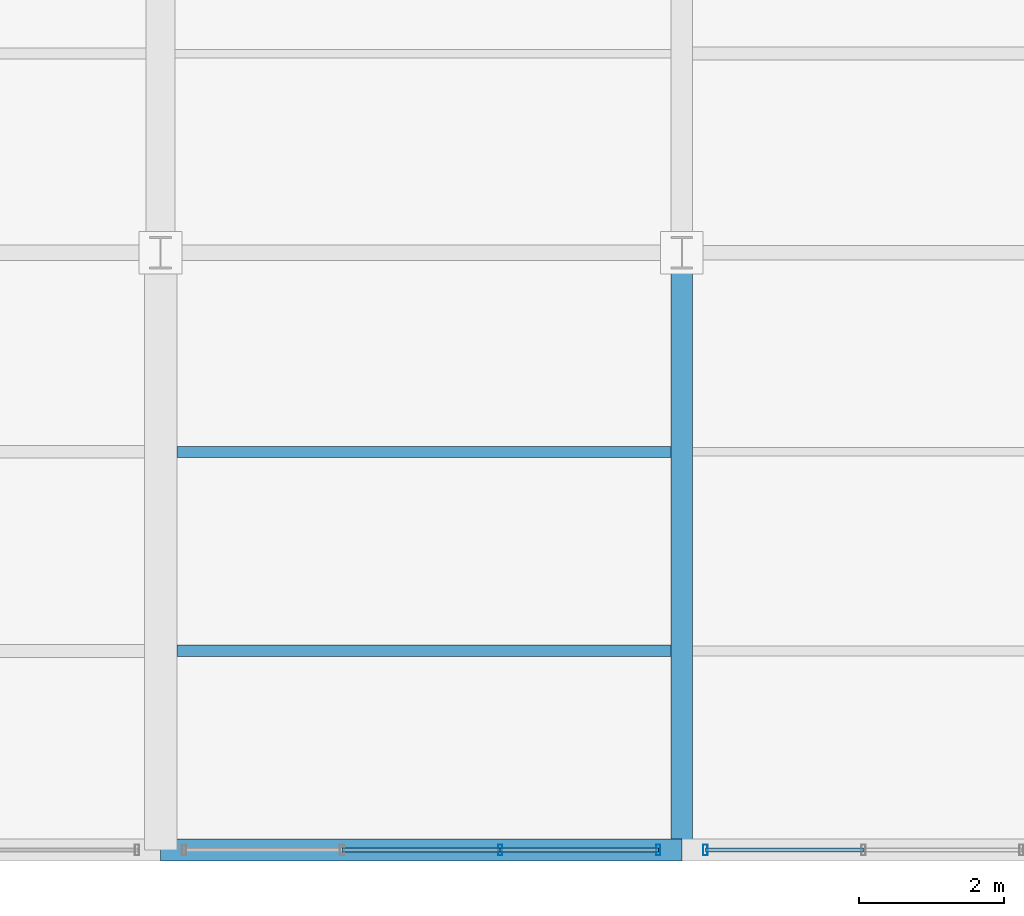
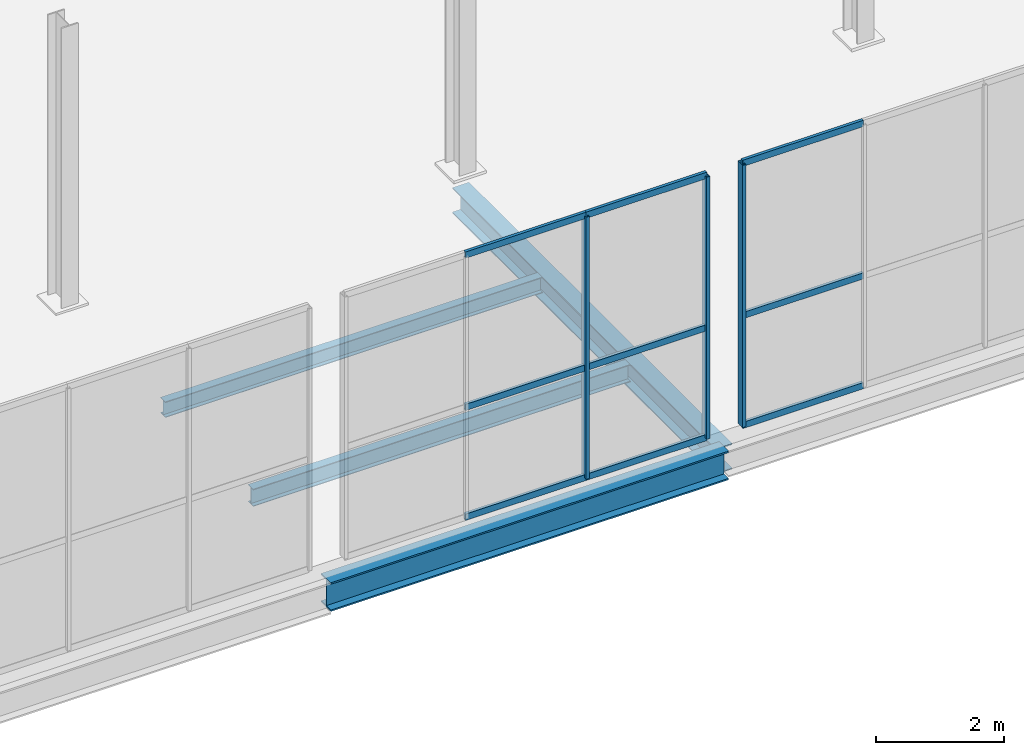
# One storey, part 28 of 147: 12 members, 4 beams, 2 elements without a shape of their own.
"""IFC4 building model written with IfcOpenShell, lengths in metres."""

from ifc_helpers import new_model, si_unit, direction, frame, origin, origin_2d, place, context, subcontext, project, spatial, hollow_rectangle, i_section, extrude, material, layer, layer_set, material_profile, profile_set, type_object, element, aggregate, save


model = new_model("IFC4")

# Units and contexts
model_context = context("Model", 3, precision=1e-05, world=origin(), true_north=direction((0.0, 1.0)))
body_context = subcontext(model_context, "Body", "Model", "MODEL_VIEW")
ifc_project = project(units=[si_unit("LENGTHUNIT", "METRE"), si_unit("AREAUNIT", "SQUARE_METRE"), si_unit("VOLUMEUNIT", "CUBIC_METRE"), si_unit("PLANEANGLEUNIT", "RADIAN"), si_unit("MASSUNIT", "GRAM", prefix="KILO")], contexts=[model_context])

# Site, building, storey
site_placement = place(None, origin())
site = spatial("IfcSite", under=ifc_project, at=site_placement, CompositionType="ELEMENT")
building_placement = place(site_placement, origin())
building = spatial("IfcBuilding", under=site, at=building_placement, Name="Sundgate Opera House", CompositionType="ELEMENT")
storey_placement = place(building_placement, frame((0.0, 0.0, 6.0)))
storey = spatial("IfcBuildingStorey", under=building, at=storey_placement, Name="L01", CompositionType="ELEMENT", Elevation=6.0)

# Beams
ifc_material_1 = material(Name="Steel S355J2", Category="steel")
ifc_material_profile_1 = material_profile(ifc_material_1, i_section(OverallWidth=0.300048828125, OverallDepth=0.489990234375, WebThickness=0.011962890625, FlangeThickness=0.02294921875, at=origin_2d()), Name="HEA 500")
ifc_profile_set_1 = profile_set([ifc_material_profile_1], Name="Steel S355J2")
beam_type_1 = type_object("IfcBeamType", Name="BM-GR-HEA500", PredefinedType="BEAM", material=ifc_profile_set_1)
beam_1_placement = place(storey_placement, frame((109.800048828125, 0.0, -0.544921875), z_axis=(0.0, 1.0, 0.0), x_axis=(-1.0, 0.0, 0.0)))
element("IfcBeam", 1, at=beam_1_placement, inside=storey, type_object=beam_type_1, Name="L01 Primary N-S Girder B1169", PredefinedType="BEAM", context=body_context, shape_type="SweptSolid", body=[
    extrude(i_section(OverallWidth=0.300048828125, OverallDepth=0.489990234375, WebThickness=0.011962890625, FlangeThickness=0.02294921875, at=origin_2d()), origin(), (0.0, 0.0, 1.0), 8.25),
])
ifc_material_2 = material(Name="Steel S355J2", Category="steel")
ifc_material_profile_2 = material_profile(ifc_material_2, i_section(OverallWidth=0.300048828125, OverallDepth=0.550048828125, WebThickness=0.014892578125, FlangeThickness=0.029052734375, at=origin_2d()), Name="HEB 550")
ifc_profile_set_2 = profile_set([ifc_material_profile_2], Name="Steel S355J2")
beam_type_2 = type_object("IfcBeamType", Name="BM-GR-HEB550", PredefinedType="BEAM", material=ifc_profile_set_2)
beam_2_placement = place(storey_placement, frame((102.60009765625, 0.0, -0.574951171875), z_axis=(1.0, 0.0, 0.0), x_axis=(0.0, 1.0, 0.0)))
element("IfcBeam", 2, at=beam_2_placement, inside=storey, type_object=beam_type_2, Name="L01 Primary E-W Girder B1273", PredefinedType="BEAM", context=body_context, shape_type="SweptSolid", body=[
    extrude(i_section(OverallWidth=0.300048828125, OverallDepth=0.550048828125, WebThickness=0.014892578125, FlangeThickness=0.029052734375, at=origin_2d()), origin(), (0.0, 0.0, 1.0), 7.199951171875),
])
ifc_material_3 = material(Name="Steel S355J2", Category="steel")
ifc_material_profile_3 = material_profile(ifc_material_3, i_section(OverallWidth=0.14990234375, OverallDepth=0.300048828125, WebThickness=0.007080078125, FlangeThickness=0.0107421875, at=origin_2d()), Name="IPE 300")
ifc_profile_set_3 = profile_set([ifc_material_profile_3], Name="Steel S355J2")
beam_type_3 = type_object("IfcBeamType", Name="BM-JS-IPE300", PredefinedType="JOIST", material=ifc_profile_set_3)
beam_3_placement = place(storey_placement, frame((102.824951171875, 5.5, -0.449951171875), z_axis=(1.0, 0.0, 0.0), x_axis=(0.0, 1.0, 0.0)))
element("IfcBeam", 3, at=beam_3_placement, inside=storey, type_object=beam_type_3, Name="L01 Secondary Floor Joist B1481", PredefinedType="JOIST", context=body_context, shape_type="SweptSolid", body=[
    extrude(i_section(OverallWidth=0.14990234375, OverallDepth=0.300048828125, WebThickness=0.007080078125, FlangeThickness=0.0107421875, at=origin_2d()), origin(), (0.0, 0.0, 1.0), 6.824951171875),
])
ifc_material_4 = material(Name="Steel S355J2", Category="steel")
ifc_material_profile_4 = material_profile(ifc_material_4, i_section(OverallWidth=0.159912109375, OverallDepth=0.330078125, WebThickness=0.007568359375, FlangeThickness=0.011474609375, at=origin_2d()), Name="IPE 330")
ifc_profile_set_4 = profile_set([ifc_material_profile_4], Name="Steel S355J2")
beam_type_4 = type_object("IfcBeamType", Name="BM-JS-IPE330", PredefinedType="JOIST", material=ifc_profile_set_4)
beam_4_placement = place(storey_placement, frame((102.824951171875, 2.75, -0.465087890625), z_axis=(1.0, 0.0, 0.0), x_axis=(0.0, 1.0, 0.0)))
element("IfcBeam", 4, at=beam_4_placement, inside=storey, type_object=beam_type_4, Name="L01 Secondary Floor Joist B1480", PredefinedType="JOIST", context=body_context, shape_type="SweptSolid", body=[
    extrude(i_section(OverallWidth=0.159912109375, OverallDepth=0.330078125, WebThickness=0.007568359375, FlangeThickness=0.011474609375, at=origin_2d()), origin(), (0.0, 0.0, 1.0), 6.824951171875),
])

# Curtain wall, members
ifc_material_5 = material(Name="Anodized aluminium and low-iron glass", Category="aluminium")
ifc_layer = layer(ifc_material_5, 0.14990234375)
ifc_layer_set = layer_set([ifc_layer], Name="Anodized aluminium and low-iron glass")
curtain_wall_type = type_object("IfcCurtainWallType", Name="CW-WORKSHOP-DARK", PredefinedType="NOTDEFINED", material=ifc_layer_set)
curtain_wall_1_placement = place(storey_placement, origin())
curtain_wall_1 = element("IfcCurtainWall", 5, at=curtain_wall_1_placement, inside=storey, type_object=curtain_wall_type, Name="L01 Curtain Wall CW136", PredefinedType="NOTDEFINED")
ifc_material_6 = material(Name="Anodized aluminium EN AW-6063", Category="aluminium")
ifc_material_profile_5 = material_profile(ifc_material_6, hollow_rectangle(XDim=0.06005859375, YDim=0.14990234375, WallThickness=0.00390625, at=origin_2d()), Name="CWM 150x60x4")
ifc_profile_set_5 = profile_set([ifc_material_profile_5], Name="Anodized aluminium EN AW-6063")
member_type_1 = type_object("IfcMemberType", Name="CWM-ALU-150x60", PredefinedType="MULLION", material=ifc_profile_set_5)
member_1_placement = place(storey_placement, frame((109.47509765625, 0.0, 0.0), z_axis=(0.0, 0.0, 1.0), x_axis=(1.0, 0.0, 0.0)))
member_1 = element("IfcMember", 6, at=member_1_placement, type_object=member_type_1, Name="CW136 Mullion 1", PredefinedType="MULLION", context=body_context, shape_type="SweptSolid", body=[
    extrude(hollow_rectangle(XDim=0.06005859375, YDim=0.14990234375, WallThickness=0.00390625, at=origin_2d()), origin(), (0.0, 0.0, 1.0), 5.014892578125),
])
member_2_placement = place(storey_placement, frame((107.291748046875, 0.0, 0.0), z_axis=(0.0, 0.0, 1.0), x_axis=(1.0, 0.0, 0.0)))
member_2 = element("IfcMember", 7, at=member_2_placement, type_object=member_type_1, Name="CW136 Mullion 2", PredefinedType="MULLION", context=body_context, shape_type="SweptSolid", body=[
    extrude(hollow_rectangle(XDim=0.06005859375, YDim=0.14990234375, WallThickness=0.00390625, at=origin_2d()), origin(), (0.0, 0.0, 1.0), 5.014892578125),
])

# Curtain wall, member
curtain_wall_2_placement = place(storey_placement, origin())
curtain_wall_2 = element("IfcCurtainWall", 8, at=curtain_wall_2_placement, inside=storey, type_object=curtain_wall_type, Name="L01 Curtain Wall CW137", PredefinedType="NOTDEFINED")
member_3_placement = place(storey_placement, frame((110.125, 0.0, 0.0), z_axis=(0.0, 0.0, 1.0), x_axis=(1.0, 0.0, 0.0)))
member_3 = element("IfcMember", 9, at=member_3_placement, type_object=member_type_1, Name="CW137 Mullion 4", PredefinedType="MULLION", context=body_context, shape_type="SweptSolid", body=[
    extrude(hollow_rectangle(XDim=0.06005859375, YDim=0.14990234375, WallThickness=0.00390625, at=origin_2d()), origin(), (0.0, 0.0, 1.0), 5.014892578125),
])

# Member
ifc_material_7 = material(Name="Anodized aluminium EN AW-6063", Category="aluminium")
ifc_material_profile_6 = material_profile(ifc_material_7, hollow_rectangle(XDim=0.054931640625, YDim=0.1201171875, WallThickness=0.00390625, at=origin_2d()), Name="CWT 120x55x4")
ifc_profile_set_6 = profile_set([ifc_material_profile_6], Name="Anodized aluminium EN AW-6063")
member_type_2 = type_object("IfcMemberType", Name="CWT-ALU-120x55", PredefinedType="USERDEFINED", material=ifc_profile_set_6)
member_4_placement = place(storey_placement, frame((109.47509765625, 0.0, 0.0), z_axis=(-1.0, 0.0, 0.0), x_axis=(0.0, -1.0, 0.0)))
member_4 = element("IfcMember", 10, at=member_4_placement, type_object=member_type_2, Name="CW136 Transom 1", ObjectType="TRANSOM", PredefinedType="USERDEFINED", context=body_context, shape_type="SweptSolid", body=[
    extrude(hollow_rectangle(XDim=0.054931640625, YDim=0.1201171875, WallThickness=0.00390625, at=origin_2d()), origin(), (0.0, 0.0, 1.0), 2.183349609375),
])

member_5_placement = place(storey_placement, frame((109.47509765625, 0.0, 2.10009765625), z_axis=(-1.0, 0.0, 0.0), x_axis=(0.0, -1.0, 0.0)))
member_5 = element("IfcMember", 11, at=member_5_placement, type_object=member_type_2, Name="CW136 Transom 2", ObjectType="TRANSOM", PredefinedType="USERDEFINED", context=body_context, shape_type="SweptSolid", body=[
    extrude(hollow_rectangle(XDim=0.054931640625, YDim=0.1201171875, WallThickness=0.00390625, at=origin_2d()), origin(), (0.0, 0.0, 1.0), 2.183349609375),
])

member_6_placement = place(storey_placement, frame((109.47509765625, 0.0, 5.014892578125), z_axis=(-1.0, 0.0, 0.0), x_axis=(0.0, -1.0, 0.0)))
member_6 = element("IfcMember", 12, at=member_6_placement, type_object=member_type_2, Name="CW136 Transom 3", ObjectType="TRANSOM", PredefinedType="USERDEFINED", context=body_context, shape_type="SweptSolid", body=[
    extrude(hollow_rectangle(XDim=0.054931640625, YDim=0.1201171875, WallThickness=0.00390625, at=origin_2d()), origin(), (0.0, 0.0, 1.0), 2.183349609375),
])

member_7_placement = place(storey_placement, frame((107.291748046875, 0.0, 0.0), z_axis=(-1.0, 0.0, 0.0), x_axis=(0.0, -1.0, 0.0)))
member_7 = element("IfcMember", 13, at=member_7_placement, type_object=member_type_2, Name="CW136 Transom 4", ObjectType="TRANSOM", PredefinedType="USERDEFINED", context=body_context, shape_type="SweptSolid", body=[
    extrude(hollow_rectangle(XDim=0.054931640625, YDim=0.1201171875, WallThickness=0.00390625, at=origin_2d()), origin(), (0.0, 0.0, 1.0), 2.183349609375),
])

member_8_placement = place(storey_placement, frame((107.291748046875, 0.0, 2.10009765625), z_axis=(-1.0, 0.0, 0.0), x_axis=(0.0, -1.0, 0.0)))
member_8 = element("IfcMember", 14, at=member_8_placement, type_object=member_type_2, Name="CW136 Transom 5", ObjectType="TRANSOM", PredefinedType="USERDEFINED", context=body_context, shape_type="SweptSolid", body=[
    extrude(hollow_rectangle(XDim=0.054931640625, YDim=0.1201171875, WallThickness=0.00390625, at=origin_2d()), origin(), (0.0, 0.0, 1.0), 2.183349609375),
])

member_9_placement = place(storey_placement, frame((107.291748046875, 0.0, 5.014892578125), z_axis=(-1.0, 0.0, 0.0), x_axis=(0.0, -1.0, 0.0)))
member_9 = element("IfcMember", 15, at=member_9_placement, type_object=member_type_2, Name="CW136 Transom 6", ObjectType="TRANSOM", PredefinedType="USERDEFINED", context=body_context, shape_type="SweptSolid", body=[
    extrude(hollow_rectangle(XDim=0.054931640625, YDim=0.1201171875, WallThickness=0.00390625, at=origin_2d()), origin(), (0.0, 0.0, 1.0), 2.183349609375),
])

aggregate(curtain_wall_1, [member_1, member_2, member_4, member_5, member_6, member_7, member_8, member_9])

member_10_placement = place(storey_placement, frame((112.308349609375, 0.0, 0.0), z_axis=(-1.0, 0.0, 0.0), x_axis=(0.0, -1.0, 0.0)))
member_10 = element("IfcMember", 16, at=member_10_placement, type_object=member_type_2, Name="CW137 Transom 7", ObjectType="TRANSOM", PredefinedType="USERDEFINED", context=body_context, shape_type="SweptSolid", body=[
    extrude(hollow_rectangle(XDim=0.054931640625, YDim=0.1201171875, WallThickness=0.00390625, at=origin_2d()), origin(), (0.0, 0.0, 1.0), 2.183349609375),
])

member_11_placement = place(storey_placement, frame((112.308349609375, 0.0, 2.10009765625), z_axis=(-1.0, 0.0, 0.0), x_axis=(0.0, -1.0, 0.0)))
member_11 = element("IfcMember", 17, at=member_11_placement, type_object=member_type_2, Name="CW137 Transom 8", ObjectType="TRANSOM", PredefinedType="USERDEFINED", context=body_context, shape_type="SweptSolid", body=[
    extrude(hollow_rectangle(XDim=0.054931640625, YDim=0.1201171875, WallThickness=0.00390625, at=origin_2d()), origin(), (0.0, 0.0, 1.0), 2.183349609375),
])

member_12_placement = place(storey_placement, frame((112.308349609375, 0.0, 5.014892578125), z_axis=(-1.0, 0.0, 0.0), x_axis=(0.0, -1.0, 0.0)))
member_12 = element("IfcMember", 18, at=member_12_placement, type_object=member_type_2, Name="CW137 Transom 9", ObjectType="TRANSOM", PredefinedType="USERDEFINED", context=body_context, shape_type="SweptSolid", body=[
    extrude(hollow_rectangle(XDim=0.054931640625, YDim=0.1201171875, WallThickness=0.00390625, at=origin_2d()), origin(), (0.0, 0.0, 1.0), 2.183349609375),
])

aggregate(curtain_wall_2, [member_3, member_10, member_11, member_12])

save(model, "model.ifc")
